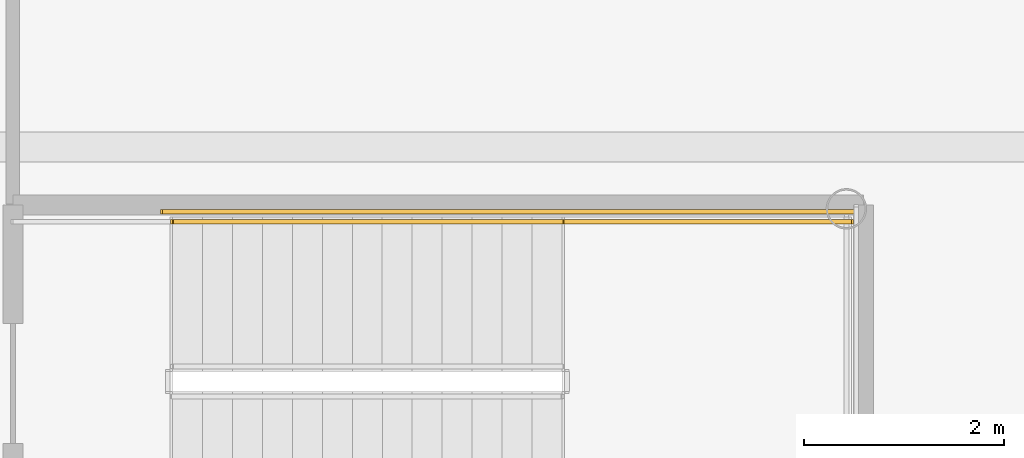
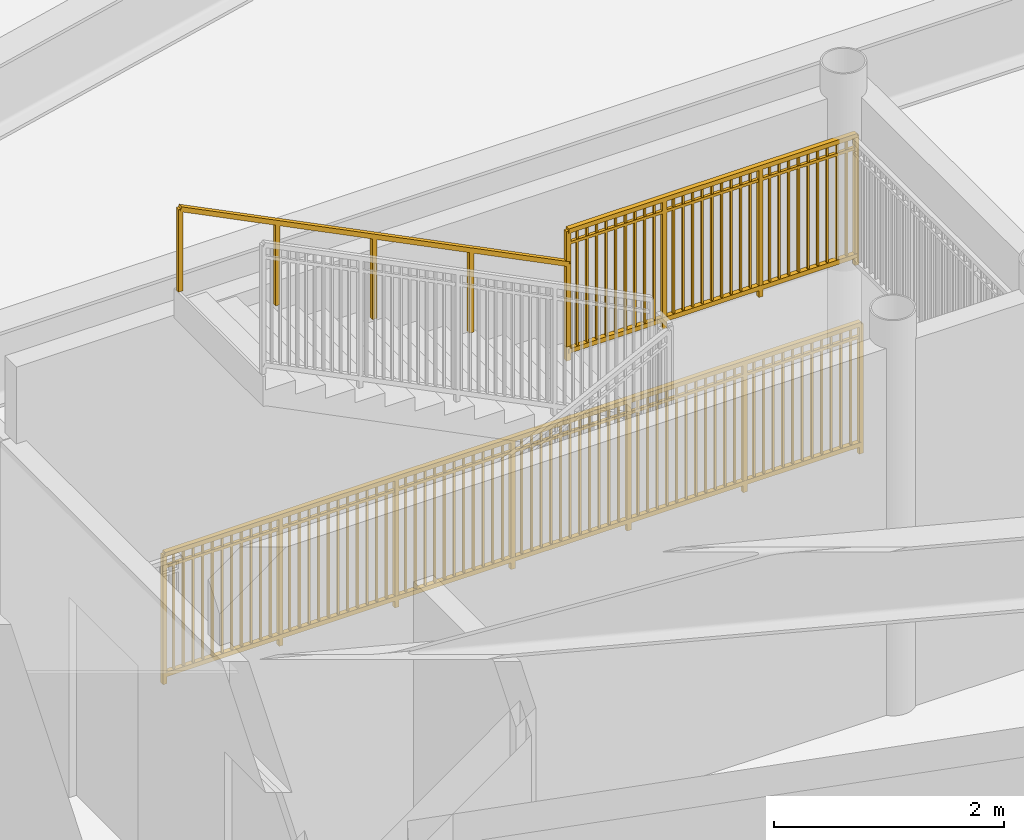
# One storey, part 27 of 27: 3 railings.
"""IFC4 building model written with IfcOpenShell, lengths in metres."""

from ifc_helpers import new_model, si_unit, direction, frame, origin, origin_2d, place, context, subcontext, project, spatial, rectangle, extrude, source, transform, mapped, material, type_object, element, save


model = new_model("IFC4")

# Units and contexts
model_context = context("Model", 3, precision=1e-05, world=origin(), true_north=direction((0.0, 1.0)))
body_context = subcontext(model_context, "Body", "Model", "MODEL_VIEW")
ifc_project = project(units=[si_unit("LENGTHUNIT", "METRE"), si_unit("AREAUNIT", "SQUARE_METRE"), si_unit("VOLUMEUNIT", "CUBIC_METRE"), si_unit("PLANEANGLEUNIT", "RADIAN"), si_unit("MASSUNIT", "GRAM", prefix="KILO")], contexts=[model_context])

# Site, building, storey
site_placement = place(None, origin())
site = spatial("IfcSite", under=ifc_project, at=site_placement, CompositionType="ELEMENT")
building_placement = place(site_placement, origin())
building = spatial("IfcBuilding", under=site, at=building_placement, Name="Linh Dai School and Residence Tower", CompositionType="ELEMENT")
storey_placement = place(building_placement, frame((0.0, 0.0, 18.60009765625)))
storey = spatial("IfcBuildingStorey", under=building, at=storey_placement, Name="L04", CompositionType="ELEMENT", Elevation=18.60009765625)

# Railings
ifc_material_1 = material(Name="Brushed Stainless Steel Handrail", Category="steel")
railing_type_1 = type_object("IfcRailingType", Name="RL-ST-HANDRAIL-900", PredefinedType="HANDRAIL", material=ifc_material_1)
shared_shape_1 = source(origin(), body_context, "Body", "SweptSolid", [
    extrude(rectangle(XDim=0.048095703125, YDim=0.048095703125, at=origin_2d()), frame((0.0, 0.0, 0.8759765625), z_axis=(-0.894427191, 0.0, 0.4472135955), x_axis=(0.0, -1.0, 0.0)), (0.0, 0.0, 1.0), 4.360107421875),
    extrude(rectangle(XDim=0.0419921875, YDim=0.0419921875, at=origin_2d()), origin(), (0.0, 0.0, 1.0), 0.8759765625),
    extrude(rectangle(XDim=0.0419921875, YDim=0.0419921875, at=origin_2d()), frame((-0.97509765625, 0.0, 0.487548828125)), (0.0, 0.0, 1.0), 0.8759765625),
    extrude(rectangle(XDim=0.0419921875, YDim=0.0419921875, at=origin_2d()), frame((-1.949951171875, 0.0, 0.97509765625)), (0.0, 0.0, 1.0), 0.8759765625),
    extrude(rectangle(XDim=0.0419921875, YDim=0.0419921875, at=origin_2d()), frame((-2.9248046875, 0.0, 1.46240234375)), (0.0, 0.0, 1.0), 0.8759765625),
    extrude(rectangle(XDim=0.0419921875, YDim=0.0419921875, at=origin_2d()), frame((-3.89990234375, 0.0, 1.949951171875)), (0.0, 0.0, 1.0), 0.8759765625),
])
railing_1_placement = place(storey_placement, frame((53.5, 26.25, 2.25)))
element("IfcRailing", 1, at=railing_1_placement, inside=storey, type_object=railing_type_1, Name="L04 STS2 stair handrail 2", PredefinedType="HANDRAIL", context=body_context, shape_type="MappedRepresentation", body=[
    mapped(shared_shape_1, transform((0.0, 0.0, 0.0), x_axis=(1.0, 0.0, 0.0), y_axis=(0.0, 1.0, 0.0), z_axis=(0.0, 0.0, 1.0), scale=1.0)),
])
ifc_material_2 = material(Name="Structural Steel S355JR", Category="steel")
railing_type_2 = type_object("IfcRailingType", Name="RL-ST-GUARD-1400", PredefinedType="GUARDRAIL", material=ifc_material_2)
shared_shape_2 = source(origin(), body_context, "Body", "SweptSolid", [
    extrude(rectangle(XDim=0.048095703125, YDim=0.048095703125, at=origin_2d()), frame((0.0, 0.0, 1.3759765625), z_axis=(1.0, 0.0, 0.0), x_axis=(0.0, 1.0, 0.0)), (0.0, 0.0, 1.0), 2.89990234375),
    extrude(rectangle(XDim=0.048095703125, YDim=0.048095703125, at=origin_2d()), frame((0.0, 0.0, 0.10009765625), z_axis=(1.0, 0.0, 0.0), x_axis=(0.0, 1.0, 0.0)), (0.0, 0.0, 1.0), 2.89990234375),
    extrude(rectangle(XDim=0.030029296875, YDim=0.030029296875, at=origin_2d()), frame((0.0, 0.0, 1.239990234375), z_axis=(1.0, 0.0, 0.0), x_axis=(0.0, 1.0, 0.0)), (0.0, 0.0, 1.0), 2.89990234375),
    extrude(rectangle(XDim=0.02001953125, YDim=0.02001953125, at=origin_2d()), frame((0.0966796875, 0.0, 0.10009765625)), (0.0, 0.0, 1.0), 1.251708984375),
    extrude(rectangle(XDim=0.02001953125, YDim=0.02001953125, at=origin_2d()), frame((0.193359375, 0.0, 0.10009765625)), (0.0, 0.0, 1.0), 1.251708984375),
    extrude(rectangle(XDim=0.02001953125, YDim=0.02001953125, at=origin_2d()), frame((0.2900390625, 0.0, 0.10009765625)), (0.0, 0.0, 1.0), 1.251708984375),
    extrude(rectangle(XDim=0.02001953125, YDim=0.02001953125, at=origin_2d()), frame((0.38671875, 0.0, 0.10009765625)), (0.0, 0.0, 1.0), 1.251708984375),
    extrude(rectangle(XDim=0.02001953125, YDim=0.02001953125, at=origin_2d()), frame((0.4833984375, 0.0, 0.10009765625)), (0.0, 0.0, 1.0), 1.251708984375),
    extrude(rectangle(XDim=0.02001953125, YDim=0.02001953125, at=origin_2d()), frame((0.580078125, 0.0, 0.10009765625)), (0.0, 0.0, 1.0), 1.251708984375),
    extrude(rectangle(XDim=0.02001953125, YDim=0.02001953125, at=origin_2d()), frame((0.6767578125, 0.0, 0.10009765625)), (0.0, 0.0, 1.0), 1.251708984375),
    extrude(rectangle(XDim=0.02001953125, YDim=0.02001953125, at=origin_2d()), frame((0.773193359375, 0.0, 0.10009765625)), (0.0, 0.0, 1.0), 1.251708984375),
    extrude(rectangle(XDim=0.02001953125, YDim=0.02001953125, at=origin_2d()), frame((0.869873046875, 0.0, 0.10009765625)), (0.0, 0.0, 1.0), 1.251708984375),
    extrude(rectangle(XDim=0.02001953125, YDim=0.02001953125, at=origin_2d()), frame((1.063232421875, 0.0, 0.10009765625)), (0.0, 0.0, 1.0), 1.251708984375),
    extrude(rectangle(XDim=0.02001953125, YDim=0.02001953125, at=origin_2d()), frame((1.159912109375, 0.0, 0.10009765625)), (0.0, 0.0, 1.0), 1.251708984375),
    extrude(rectangle(XDim=0.02001953125, YDim=0.02001953125, at=origin_2d()), frame((1.256591796875, 0.0, 0.10009765625)), (0.0, 0.0, 1.0), 1.251708984375),
    extrude(rectangle(XDim=0.02001953125, YDim=0.02001953125, at=origin_2d()), frame((1.353271484375, 0.0, 0.10009765625)), (0.0, 0.0, 1.0), 1.251708984375),
    extrude(rectangle(XDim=0.02001953125, YDim=0.02001953125, at=origin_2d()), frame((1.449951171875, 0.0, 0.10009765625)), (0.0, 0.0, 1.0), 1.251708984375),
    extrude(rectangle(XDim=0.02001953125, YDim=0.02001953125, at=origin_2d()), frame((1.546630859375, 0.0, 0.10009765625)), (0.0, 0.0, 1.0), 1.251708984375),
    extrude(rectangle(XDim=0.02001953125, YDim=0.02001953125, at=origin_2d()), frame((1.643310546875, 0.0, 0.10009765625)), (0.0, 0.0, 1.0), 1.251708984375),
    extrude(rectangle(XDim=0.02001953125, YDim=0.02001953125, at=origin_2d()), frame((1.739990234375, 0.0, 0.10009765625)), (0.0, 0.0, 1.0), 1.251708984375),
    extrude(rectangle(XDim=0.02001953125, YDim=0.02001953125, at=origin_2d()), frame((1.836669921875, 0.0, 0.10009765625)), (0.0, 0.0, 1.0), 1.251708984375),
    extrude(rectangle(XDim=0.02001953125, YDim=0.02001953125, at=origin_2d()), frame((2.030029296875, 0.0, 0.10009765625)), (0.0, 0.0, 1.0), 1.251708984375),
    extrude(rectangle(XDim=0.02001953125, YDim=0.02001953125, at=origin_2d()), frame((2.126708984375, 0.0, 0.10009765625)), (0.0, 0.0, 1.0), 1.251708984375),
    extrude(rectangle(XDim=0.02001953125, YDim=0.02001953125, at=origin_2d()), frame((2.22314453125, 0.0, 0.10009765625)), (0.0, 0.0, 1.0), 1.251708984375),
    extrude(rectangle(XDim=0.02001953125, YDim=0.02001953125, at=origin_2d()), frame((2.31982421875, 0.0, 0.10009765625)), (0.0, 0.0, 1.0), 1.251708984375),
    extrude(rectangle(XDim=0.02001953125, YDim=0.02001953125, at=origin_2d()), frame((2.41650390625, 0.0, 0.10009765625)), (0.0, 0.0, 1.0), 1.251708984375),
    extrude(rectangle(XDim=0.02001953125, YDim=0.02001953125, at=origin_2d()), frame((2.51318359375, 0.0, 0.10009765625)), (0.0, 0.0, 1.0), 1.251708984375),
    extrude(rectangle(XDim=0.02001953125, YDim=0.02001953125, at=origin_2d()), frame((2.60986328125, 0.0, 0.10009765625)), (0.0, 0.0, 1.0), 1.251708984375),
    extrude(rectangle(XDim=0.02001953125, YDim=0.02001953125, at=origin_2d()), frame((2.70654296875, 0.0, 0.10009765625)), (0.0, 0.0, 1.0), 1.251708984375),
    extrude(rectangle(XDim=0.02001953125, YDim=0.02001953125, at=origin_2d()), frame((2.80322265625, 0.0, 0.10009765625)), (0.0, 0.0, 1.0), 1.251708984375),
    extrude(rectangle(XDim=0.0419921875, YDim=0.0419921875, at=origin_2d()), origin(), (0.0, 0.0, 1.0), 1.3759765625),
    extrude(rectangle(XDim=0.0419921875, YDim=0.0419921875, at=origin_2d()), frame((0.966552734375, 0.0, 0.0)), (0.0, 0.0, 1.0), 1.3759765625),
    extrude(rectangle(XDim=0.0419921875, YDim=0.0419921875, at=origin_2d()), frame((1.933349609375, 0.0, 0.0)), (0.0, 0.0, 1.0), 1.3759765625),
    extrude(rectangle(XDim=0.0419921875, YDim=0.0419921875, at=origin_2d()), frame((2.89990234375, 0.0, 0.0)), (0.0, 0.0, 1.0), 1.3759765625),
])
railing_2_placement = place(storey_placement, frame((53.5, 26.25, 2.099853515625)))
element("IfcRailing", 2, at=railing_2_placement, inside=storey, type_object=railing_type_2, Name="L04 STS2 stair guard 4", PredefinedType="GUARDRAIL", context=body_context, shape_type="MappedRepresentation", body=[
    mapped(shared_shape_2, transform((0.0, 0.0, 0.0), x_axis=(1.0, 0.0, 0.0), y_axis=(0.0, 1.0, 0.0), z_axis=(0.0, 0.0, 1.0), scale=1.0)),
])
shared_shape_3 = source(origin(), body_context, "Body", "SweptSolid", [
    extrude(rectangle(XDim=0.048095703125, YDim=0.048095703125, at=origin_2d()), frame((0.0, 0.0, 1.3759765625), z_axis=(1.0, 0.0, 0.0), x_axis=(0.0, 1.0, 0.0)), (0.0, 0.0, 1.0), 7.0),
    extrude(rectangle(XDim=0.048095703125, YDim=0.048095703125, at=origin_2d()), frame((0.0, 0.0, 0.10009765625), z_axis=(1.0, 0.0, 0.0), x_axis=(0.0, 1.0, 0.0)), (0.0, 0.0, 1.0), 7.0),
    extrude(rectangle(XDim=0.030029296875, YDim=0.030029296875, at=origin_2d()), frame((0.0, 0.0, 1.239990234375), z_axis=(1.0, 0.0, 0.0), x_axis=(0.0, 1.0, 0.0)), (0.0, 0.0, 1.0), 7.0),
    extrude(rectangle(XDim=0.02001953125, YDim=0.02001953125, at=origin_2d()), frame((0.09716796875, 0.0, 0.10009765625)), (0.0, 0.0, 1.0), 1.251708984375),
    extrude(rectangle(XDim=0.02001953125, YDim=0.02001953125, at=origin_2d()), frame((0.1943359375, 0.0, 0.10009765625)), (0.0, 0.0, 1.0), 1.251708984375),
    extrude(rectangle(XDim=0.02001953125, YDim=0.02001953125, at=origin_2d()), frame((0.291748046875, 0.0, 0.10009765625)), (0.0, 0.0, 1.0), 1.251708984375),
    extrude(rectangle(XDim=0.02001953125, YDim=0.02001953125, at=origin_2d()), frame((0.388916015625, 0.0, 0.10009765625)), (0.0, 0.0, 1.0), 1.251708984375),
    extrude(rectangle(XDim=0.02001953125, YDim=0.02001953125, at=origin_2d()), frame((0.486083984375, 0.0, 0.10009765625)), (0.0, 0.0, 1.0), 1.251708984375),
    extrude(rectangle(XDim=0.02001953125, YDim=0.02001953125, at=origin_2d()), frame((0.583251953125, 0.0, 0.10009765625)), (0.0, 0.0, 1.0), 1.251708984375),
    extrude(rectangle(XDim=0.02001953125, YDim=0.02001953125, at=origin_2d()), frame((0.6806640625, 0.0, 0.10009765625)), (0.0, 0.0, 1.0), 1.251708984375),
    extrude(rectangle(XDim=0.02001953125, YDim=0.02001953125, at=origin_2d()), frame((0.77783203125, 0.0, 0.10009765625)), (0.0, 0.0, 1.0), 1.251708984375),
    extrude(rectangle(XDim=0.02001953125, YDim=0.02001953125, at=origin_2d()), frame((0.875, 0.0, 0.10009765625)), (0.0, 0.0, 1.0), 1.251708984375),
    extrude(rectangle(XDim=0.02001953125, YDim=0.02001953125, at=origin_2d()), frame((0.97216796875, 0.0, 0.10009765625)), (0.0, 0.0, 1.0), 1.251708984375),
    extrude(rectangle(XDim=0.02001953125, YDim=0.02001953125, at=origin_2d()), frame((1.0693359375, 0.0, 0.10009765625)), (0.0, 0.0, 1.0), 1.251708984375),
    extrude(rectangle(XDim=0.02001953125, YDim=0.02001953125, at=origin_2d()), frame((1.263916015625, 0.0, 0.10009765625)), (0.0, 0.0, 1.0), 1.251708984375),
    extrude(rectangle(XDim=0.02001953125, YDim=0.02001953125, at=origin_2d()), frame((1.361083984375, 0.0, 0.10009765625)), (0.0, 0.0, 1.0), 1.251708984375),
    extrude(rectangle(XDim=0.02001953125, YDim=0.02001953125, at=origin_2d()), frame((1.458251953125, 0.0, 0.10009765625)), (0.0, 0.0, 1.0), 1.251708984375),
    extrude(rectangle(XDim=0.02001953125, YDim=0.02001953125, at=origin_2d()), frame((1.5556640625, 0.0, 0.10009765625)), (0.0, 0.0, 1.0), 1.251708984375),
    extrude(rectangle(XDim=0.02001953125, YDim=0.02001953125, at=origin_2d()), frame((1.65283203125, 0.0, 0.10009765625)), (0.0, 0.0, 1.0), 1.251708984375),
    extrude(rectangle(XDim=0.02001953125, YDim=0.02001953125, at=origin_2d()), frame((1.75, 0.0, 0.10009765625)), (0.0, 0.0, 1.0), 1.251708984375),
    extrude(rectangle(XDim=0.02001953125, YDim=0.02001953125, at=origin_2d()), frame((1.84716796875, 0.0, 0.10009765625)), (0.0, 0.0, 1.0), 1.251708984375),
    extrude(rectangle(XDim=0.02001953125, YDim=0.02001953125, at=origin_2d()), frame((1.9443359375, 0.0, 0.10009765625)), (0.0, 0.0, 1.0), 1.251708984375),
    extrude(rectangle(XDim=0.02001953125, YDim=0.02001953125, at=origin_2d()), frame((2.041748046875, 0.0, 0.10009765625)), (0.0, 0.0, 1.0), 1.251708984375),
    extrude(rectangle(XDim=0.02001953125, YDim=0.02001953125, at=origin_2d()), frame((2.138916015625, 0.0, 0.10009765625)), (0.0, 0.0, 1.0), 1.251708984375),
    extrude(rectangle(XDim=0.02001953125, YDim=0.02001953125, at=origin_2d()), frame((2.236083984375, 0.0, 0.10009765625)), (0.0, 0.0, 1.0), 1.251708984375),
    extrude(rectangle(XDim=0.02001953125, YDim=0.02001953125, at=origin_2d()), frame((2.4306640625, 0.0, 0.10009765625)), (0.0, 0.0, 1.0), 1.251708984375),
    extrude(rectangle(XDim=0.02001953125, YDim=0.02001953125, at=origin_2d()), frame((2.52783203125, 0.0, 0.10009765625)), (0.0, 0.0, 1.0), 1.251708984375),
    extrude(rectangle(XDim=0.02001953125, YDim=0.02001953125, at=origin_2d()), frame((2.625, 0.0, 0.10009765625)), (0.0, 0.0, 1.0), 1.251708984375),
    extrude(rectangle(XDim=0.02001953125, YDim=0.02001953125, at=origin_2d()), frame((2.72216796875, 0.0, 0.10009765625)), (0.0, 0.0, 1.0), 1.251708984375),
    extrude(rectangle(XDim=0.02001953125, YDim=0.02001953125, at=origin_2d()), frame((2.8193359375, 0.0, 0.10009765625)), (0.0, 0.0, 1.0), 1.251708984375),
    extrude(rectangle(XDim=0.02001953125, YDim=0.02001953125, at=origin_2d()), frame((2.916748046875, 0.0, 0.10009765625)), (0.0, 0.0, 1.0), 1.251708984375),
    extrude(rectangle(XDim=0.02001953125, YDim=0.02001953125, at=origin_2d()), frame((3.013916015625, 0.0, 0.10009765625)), (0.0, 0.0, 1.0), 1.251708984375),
    extrude(rectangle(XDim=0.02001953125, YDim=0.02001953125, at=origin_2d()), frame((3.111083984375, 0.0, 0.10009765625)), (0.0, 0.0, 1.0), 1.251708984375),
    extrude(rectangle(XDim=0.02001953125, YDim=0.02001953125, at=origin_2d()), frame((3.208251953125, 0.0, 0.10009765625)), (0.0, 0.0, 1.0), 1.251708984375),
    extrude(rectangle(XDim=0.02001953125, YDim=0.02001953125, at=origin_2d()), frame((3.3056640625, 0.0, 0.10009765625)), (0.0, 0.0, 1.0), 1.251708984375),
    extrude(rectangle(XDim=0.02001953125, YDim=0.02001953125, at=origin_2d()), frame((3.40283203125, 0.0, 0.10009765625)), (0.0, 0.0, 1.0), 1.251708984375),
    extrude(rectangle(XDim=0.02001953125, YDim=0.02001953125, at=origin_2d()), frame((3.59716796875, 0.0, 0.10009765625)), (0.0, 0.0, 1.0), 1.251708984375),
    extrude(rectangle(XDim=0.02001953125, YDim=0.02001953125, at=origin_2d()), frame((3.6943359375, 0.0, 0.10009765625)), (0.0, 0.0, 1.0), 1.251708984375),
    extrude(rectangle(XDim=0.02001953125, YDim=0.02001953125, at=origin_2d()), frame((3.791748046875, 0.0, 0.10009765625)), (0.0, 0.0, 1.0), 1.251708984375),
    extrude(rectangle(XDim=0.02001953125, YDim=0.02001953125, at=origin_2d()), frame((3.888916015625, 0.0, 0.10009765625)), (0.0, 0.0, 1.0), 1.251708984375),
    extrude(rectangle(XDim=0.02001953125, YDim=0.02001953125, at=origin_2d()), frame((3.986083984375, 0.0, 0.10009765625)), (0.0, 0.0, 1.0), 1.251708984375),
    extrude(rectangle(XDim=0.02001953125, YDim=0.02001953125, at=origin_2d()), frame((4.083251953125, 0.0, 0.10009765625)), (0.0, 0.0, 1.0), 1.251708984375),
    extrude(rectangle(XDim=0.02001953125, YDim=0.02001953125, at=origin_2d()), frame((4.1806640625, 0.0, 0.10009765625)), (0.0, 0.0, 1.0), 1.251708984375),
    extrude(rectangle(XDim=0.02001953125, YDim=0.02001953125, at=origin_2d()), frame((4.27783203125, 0.0, 0.10009765625)), (0.0, 0.0, 1.0), 1.251708984375),
    extrude(rectangle(XDim=0.02001953125, YDim=0.02001953125, at=origin_2d()), frame((4.375, 0.0, 0.10009765625)), (0.0, 0.0, 1.0), 1.251708984375),
    extrude(rectangle(XDim=0.02001953125, YDim=0.02001953125, at=origin_2d()), frame((4.47216796875, 0.0, 0.10009765625)), (0.0, 0.0, 1.0), 1.251708984375),
    extrude(rectangle(XDim=0.02001953125, YDim=0.02001953125, at=origin_2d()), frame((4.5693359375, 0.0, 0.10009765625)), (0.0, 0.0, 1.0), 1.251708984375),
    extrude(rectangle(XDim=0.02001953125, YDim=0.02001953125, at=origin_2d()), frame((4.763916015625, 0.0, 0.10009765625)), (0.0, 0.0, 1.0), 1.251708984375),
    extrude(rectangle(XDim=0.02001953125, YDim=0.02001953125, at=origin_2d()), frame((4.861083984375, 0.0, 0.10009765625)), (0.0, 0.0, 1.0), 1.251708984375),
    extrude(rectangle(XDim=0.02001953125, YDim=0.02001953125, at=origin_2d()), frame((4.958251953125, 0.0, 0.10009765625)), (0.0, 0.0, 1.0), 1.251708984375),
    extrude(rectangle(XDim=0.02001953125, YDim=0.02001953125, at=origin_2d()), frame((5.0556640625, 0.0, 0.10009765625)), (0.0, 0.0, 1.0), 1.251708984375),
    extrude(rectangle(XDim=0.02001953125, YDim=0.02001953125, at=origin_2d()), frame((5.15283203125, 0.0, 0.10009765625)), (0.0, 0.0, 1.0), 1.251708984375),
    extrude(rectangle(XDim=0.02001953125, YDim=0.02001953125, at=origin_2d()), frame((5.25, 0.0, 0.10009765625)), (0.0, 0.0, 1.0), 1.251708984375),
    extrude(rectangle(XDim=0.02001953125, YDim=0.02001953125, at=origin_2d()), frame((5.34716796875, 0.0, 0.10009765625)), (0.0, 0.0, 1.0), 1.251708984375),
    extrude(rectangle(XDim=0.02001953125, YDim=0.02001953125, at=origin_2d()), frame((5.4443359375, 0.0, 0.10009765625)), (0.0, 0.0, 1.0), 1.251708984375),
    extrude(rectangle(XDim=0.02001953125, YDim=0.02001953125, at=origin_2d()), frame((5.541748046875, 0.0, 0.10009765625)), (0.0, 0.0, 1.0), 1.251708984375),
    extrude(rectangle(XDim=0.02001953125, YDim=0.02001953125, at=origin_2d()), frame((5.638916015625, 0.0, 0.10009765625)), (0.0, 0.0, 1.0), 1.251708984375),
    extrude(rectangle(XDim=0.02001953125, YDim=0.02001953125, at=origin_2d()), frame((5.736083984375, 0.0, 0.10009765625)), (0.0, 0.0, 1.0), 1.251708984375),
    extrude(rectangle(XDim=0.02001953125, YDim=0.02001953125, at=origin_2d()), frame((5.9306640625, 0.0, 0.10009765625)), (0.0, 0.0, 1.0), 1.251708984375),
    extrude(rectangle(XDim=0.02001953125, YDim=0.02001953125, at=origin_2d()), frame((6.02783203125, 0.0, 0.10009765625)), (0.0, 0.0, 1.0), 1.251708984375),
    extrude(rectangle(XDim=0.02001953125, YDim=0.02001953125, at=origin_2d()), frame((6.125, 0.0, 0.10009765625)), (0.0, 0.0, 1.0), 1.251708984375),
    extrude(rectangle(XDim=0.02001953125, YDim=0.02001953125, at=origin_2d()), frame((6.22216796875, 0.0, 0.10009765625)), (0.0, 0.0, 1.0), 1.251708984375),
    extrude(rectangle(XDim=0.02001953125, YDim=0.02001953125, at=origin_2d()), frame((6.3193359375, 0.0, 0.10009765625)), (0.0, 0.0, 1.0), 1.251708984375),
    extrude(rectangle(XDim=0.02001953125, YDim=0.02001953125, at=origin_2d()), frame((6.416748046875, 0.0, 0.10009765625)), (0.0, 0.0, 1.0), 1.251708984375),
    extrude(rectangle(XDim=0.02001953125, YDim=0.02001953125, at=origin_2d()), frame((6.513916015625, 0.0, 0.10009765625)), (0.0, 0.0, 1.0), 1.251708984375),
    extrude(rectangle(XDim=0.02001953125, YDim=0.02001953125, at=origin_2d()), frame((6.611083984375, 0.0, 0.10009765625)), (0.0, 0.0, 1.0), 1.251708984375),
    extrude(rectangle(XDim=0.02001953125, YDim=0.02001953125, at=origin_2d()), frame((6.708251953125, 0.0, 0.10009765625)), (0.0, 0.0, 1.0), 1.251708984375),
    extrude(rectangle(XDim=0.02001953125, YDim=0.02001953125, at=origin_2d()), frame((6.8056640625, 0.0, 0.10009765625)), (0.0, 0.0, 1.0), 1.251708984375),
    extrude(rectangle(XDim=0.02001953125, YDim=0.02001953125, at=origin_2d()), frame((6.90283203125, 0.0, 0.10009765625)), (0.0, 0.0, 1.0), 1.251708984375),
    extrude(rectangle(XDim=0.0419921875, YDim=0.0419921875, at=origin_2d()), origin(), (0.0, 0.0, 1.0), 1.3759765625),
    extrude(rectangle(XDim=0.0419921875, YDim=0.0419921875, at=origin_2d()), frame((1.166748046875, 0.0, 0.0)), (0.0, 0.0, 1.0), 1.3759765625),
    extrude(rectangle(XDim=0.0419921875, YDim=0.0419921875, at=origin_2d()), frame((2.333251953125, 0.0, 0.0)), (0.0, 0.0, 1.0), 1.3759765625),
    extrude(rectangle(XDim=0.0419921875, YDim=0.0419921875, at=origin_2d()), frame((3.5, 0.0, 0.0)), (0.0, 0.0, 1.0), 1.3759765625),
    extrude(rectangle(XDim=0.0419921875, YDim=0.0419921875, at=origin_2d()), frame((4.666748046875, 0.0, 0.0)), (0.0, 0.0, 1.0), 1.3759765625),
    extrude(rectangle(XDim=0.0419921875, YDim=0.0419921875, at=origin_2d()), frame((5.833251953125, 0.0, 0.0)), (0.0, 0.0, 1.0), 1.3759765625),
    extrude(rectangle(XDim=0.0419921875, YDim=0.0419921875, at=origin_2d()), frame((7.0, 0.0, 0.0)), (0.0, 0.0, 1.0), 1.3759765625),
])
railing_3_placement = place(storey_placement, frame((49.5, 26.35009765625, 0.0)))
element("IfcRailing", 3, at=railing_3_placement, inside=storey, type_object=railing_type_2, Name="L04 STS2 stair guard 11", PredefinedType="GUARDRAIL", context=body_context, shape_type="MappedRepresentation", body=[
    mapped(shared_shape_3, transform((0.0, 0.0, 0.0), x_axis=(1.0, 0.0, 0.0), y_axis=(0.0, 1.0, 0.0), z_axis=(0.0, 0.0, 1.0), scale=1.0)),
])

save(model, "model.ifc")
